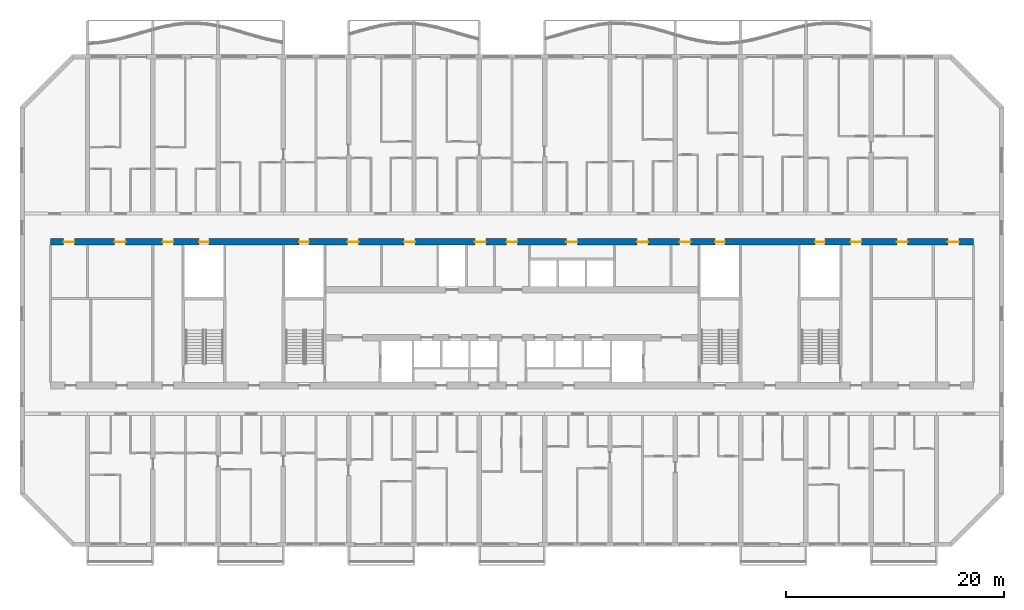
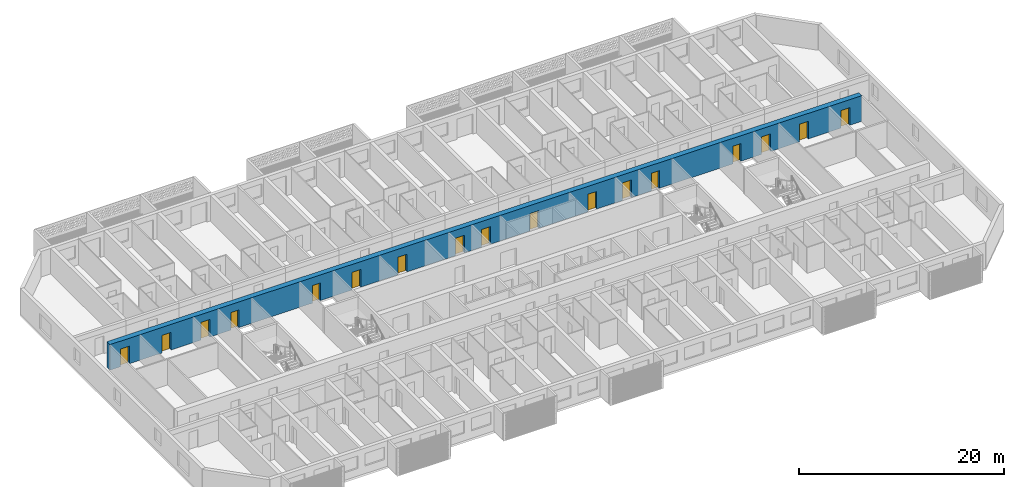
# One storey, part 8 of 39: 17 doors, 1 wall, 17 openings.
"""IFC4 building model written with IfcOpenShell, lengths in metres."""

from ifc_helpers import new_model, si_unit, direction, frame, frame_2d, origin, place, context, subcontext, project, spatial, rectangle, extrude, material, layer, layer_set, type_object, element, fill, save


model = new_model("IFC4")

# Units and contexts
model_context = context("Model", 3, precision=1e-05, world=origin(), true_north=direction((0.0, 1.0)))
body_context = subcontext(model_context, "Body", "Model", "MODEL_VIEW")
ifc_project = project(units=[si_unit("LENGTHUNIT", "METRE"), si_unit("AREAUNIT", "SQUARE_METRE"), si_unit("VOLUMEUNIT", "CUBIC_METRE"), si_unit("PLANEANGLEUNIT", "RADIAN"), si_unit("MASSUNIT", "GRAM", prefix="KILO")], contexts=[model_context])

# Site, building, storey
site_placement = place(None, origin())
site = spatial("IfcSite", under=ifc_project, at=site_placement, CompositionType="ELEMENT")
building_placement = place(site_placement, origin())
building = spatial("IfcBuilding", under=site, at=building_placement, Name="Poui Terraces", CompositionType="ELEMENT")
storey_placement = place(building_placement, frame((0.0, 0.0, 59.699951171875)))
storey = spatial("IfcBuildingStorey", under=building, at=storey_placement, Name="L16", CompositionType="ELEMENT", Elevation=59.699951171875)

# Wall, openings, doors
ifc_material_1 = material(Name="Concrete 80 MPa", Category="concrete")
ifc_layer = layer(ifc_material_1, 0.60009765625)
ifc_layer_set = layer_set([ifc_layer], Name="Concrete 80 MPa")
wall_type = type_object("IfcWallType", Name="SPINE WALL 600 80 MPA", PredefinedType="SOLIDWALL", material=ifc_layer_set)
wall_placement = place(storey_placement, frame((8.60009765625, 27.800048828125, 0.0), z_axis=(0.0, 0.0, 1.0), x_axis=(1.0, 0.0, 0.0)))
wall = element("IfcWall", 1, at=wall_placement, inside=storey, type_object=wall_type, Name="SPINE WALL", PredefinedType="SOLIDWALL", context=body_context, shape_type="SweptSolid", body=[
    extrude(rectangle(XDim=84.7998046875, YDim=0.60009765625, at=frame_2d((42.39990234375, 0.0))), origin(), (0.0, 0.0, 1.0), 3.050048828125),
])
opening_1_placement = place(wall_placement, frame((1.199951171875, 0.0, 0.0)))
opening_1 = element("IfcOpeningElement", 2, at=opening_1_placement, cuts=wall, Name="Opening FD60", PredefinedType="OPENING", context=body_context, shape_type="SweptSolid", body=[
    extrude(rectangle(XDim=1.0, YDim=2.10009765625, at=frame_2d((0.5, 1.050048828125))), frame((0.0, 0.31005859375, 0.0), z_axis=(0.0, -1.0, 0.0), x_axis=(1.0, 0.0, 0.0)), (0.0, 0.0, 1.0), 0.6201171875),
])
opening_2_placement = place(wall_placement, frame((5.89990234375, 0.0, 0.0)))
opening_2 = element("IfcOpeningElement", 3, at=opening_2_placement, cuts=wall, Name="Opening FD60", PredefinedType="OPENING", context=body_context, shape_type="SweptSolid", body=[
    extrude(rectangle(XDim=1.0, YDim=2.10009765625, at=frame_2d((0.5, 1.050048828125))), frame((0.0, 0.31005859375, 0.0), z_axis=(0.0, -1.0, 0.0), x_axis=(1.0, 0.0, 0.0)), (0.0, 0.0, 1.0), 0.6201171875),
])
opening_3_placement = place(wall_placement, frame((10.300048828125, 0.0, 0.0)))
opening_3 = element("IfcOpeningElement", 4, at=opening_3_placement, cuts=wall, Name="Opening FDL", PredefinedType="OPENING", context=body_context, shape_type="SweptSolid", body=[
    extrude(rectangle(XDim=1.0, YDim=2.10009765625, at=frame_2d((0.5, 1.050048828125))), frame((0.0, 0.31005859375, 0.0), z_axis=(0.0, -1.0, 0.0), x_axis=(1.0, 0.0, 0.0)), (0.0, 0.0, 1.0), 0.6201171875),
])
opening_4_placement = place(wall_placement, frame((13.64990234375, 0.0, 0.0)))
opening_4 = element("IfcOpeningElement", 5, at=opening_4_placement, cuts=wall, Name="Opening FDR", PredefinedType="OPENING", context=body_context, shape_type="SweptSolid", body=[
    extrude(rectangle(XDim=0.89990234375, YDim=2.10009765625, at=frame_2d((0.449951171875, 1.050048828125))), frame((0.0, 0.31005859375, 0.0), z_axis=(0.0, -1.0, 0.0), x_axis=(1.0, 0.0, 0.0)), (0.0, 0.0, 1.0), 0.6201171875),
])
opening_5_placement = place(wall_placement, frame((22.85009765625, 0.0, 0.0)))
opening_5 = element("IfcOpeningElement", 6, at=opening_5_placement, cuts=wall, Name="Opening FDR", PredefinedType="OPENING", context=body_context, shape_type="SweptSolid", body=[
    extrude(rectangle(XDim=0.89990234375, YDim=2.10009765625, at=frame_2d((0.449951171875, 1.050048828125))), frame((0.0, 0.31005859375, 0.0), z_axis=(0.0, -1.0, 0.0), x_axis=(1.0, 0.0, 0.0)), (0.0, 0.0, 1.0), 0.6201171875),
])
opening_6_placement = place(wall_placement, frame((27.300048828125, 0.0, 0.0)))
opening_6 = element("IfcOpeningElement", 7, at=opening_6_placement, cuts=wall, Name="Opening FD60", PredefinedType="OPENING", context=body_context, shape_type="SweptSolid", body=[
    extrude(rectangle(XDim=1.0, YDim=2.10009765625, at=frame_2d((0.5, 1.050048828125))), frame((0.0, 0.31005859375, 0.0), z_axis=(0.0, -1.0, 0.0), x_axis=(1.0, 0.0, 0.0)), (0.0, 0.0, 1.0), 0.6201171875),
])
opening_7_placement = place(wall_placement, frame((32.5, 0.0, 0.0)))
opening_7 = element("IfcOpeningElement", 8, at=opening_7_placement, cuts=wall, Name="Opening FD60", PredefinedType="OPENING", context=body_context, shape_type="SweptSolid", body=[
    extrude(rectangle(XDim=1.0, YDim=2.10009765625, at=frame_2d((0.5, 1.050048828125))), frame((0.0, 0.31005859375, 0.0), z_axis=(0.0, -1.0, 0.0), x_axis=(1.0, 0.0, 0.0)), (0.0, 0.0, 1.0), 0.6201171875),
])
opening_8_placement = place(wall_placement, frame((39.0, 0.0, 0.0)))
opening_8 = element("IfcOpeningElement", 9, at=opening_8_placement, cuts=wall, Name="Opening FD60", PredefinedType="OPENING", context=body_context, shape_type="SweptSolid", body=[
    extrude(rectangle(XDim=1.0, YDim=2.10009765625, at=frame_2d((0.5, 1.050048828125))), frame((0.0, 0.31005859375, 0.0), z_axis=(0.0, -1.0, 0.0), x_axis=(1.0, 0.0, 0.0)), (0.0, 0.0, 1.0), 0.6201171875),
])
opening_9_placement = place(wall_placement, frame((41.89990234375, 0.0, 0.0)))
opening_9 = element("IfcOpeningElement", 10, at=opening_9_placement, cuts=wall, Name="Opening FDL", PredefinedType="OPENING", context=body_context, shape_type="SweptSolid", body=[
    extrude(rectangle(XDim=1.0, YDim=2.10009765625, at=frame_2d((0.5, 1.050048828125))), frame((0.0, 0.31005859375, 0.0), z_axis=(0.0, -1.0, 0.0), x_axis=(1.0, 0.0, 0.0)), (0.0, 0.0, 1.0), 0.6201171875),
])
opening_10_placement = place(wall_placement, frame((47.39990234375, 0.0, 0.0)))
opening_10 = element("IfcOpeningElement", 11, at=opening_10_placement, cuts=wall, Name="Opening FD60", PredefinedType="OPENING", context=body_context, shape_type="SweptSolid", body=[
    extrude(rectangle(XDim=1.0, YDim=2.10009765625, at=frame_2d((0.5, 1.050048828125))), frame((0.0, 0.31005859375, 0.0), z_axis=(0.0, -1.0, 0.0), x_axis=(1.0, 0.0, 0.0)), (0.0, 0.0, 1.0), 0.6201171875),
])
opening_11_placement = place(wall_placement, frame((53.89990234375, 0.0, 0.0)))
opening_11 = element("IfcOpeningElement", 12, at=opening_11_placement, cuts=wall, Name="Opening FD60", PredefinedType="OPENING", context=body_context, shape_type="SweptSolid", body=[
    extrude(rectangle(XDim=1.0, YDim=2.10009765625, at=frame_2d((0.5, 1.050048828125))), frame((0.0, 0.31005859375, 0.0), z_axis=(0.0, -1.0, 0.0), x_axis=(1.0, 0.0, 0.0)), (0.0, 0.0, 1.0), 0.6201171875),
])
opening_12_placement = place(wall_placement, frame((57.800048828125, 0.0, 0.0)))
opening_12 = element("IfcOpeningElement", 13, at=opening_12_placement, cuts=wall, Name="Opening FD60", PredefinedType="OPENING", context=body_context, shape_type="SweptSolid", body=[
    extrude(rectangle(XDim=1.0, YDim=2.10009765625, at=frame_2d((0.5, 1.050048828125))), frame((0.0, 0.31005859375, 0.0), z_axis=(0.0, -1.0, 0.0), x_axis=(1.0, 0.0, 0.0)), (0.0, 0.0, 1.0), 0.6201171875),
])
opening_13_placement = place(wall_placement, frame((61.050048828125, 0.0, 0.0)))
opening_13 = element("IfcOpeningElement", 14, at=opening_13_placement, cuts=wall, Name="Opening FDR", PredefinedType="OPENING", context=body_context, shape_type="SweptSolid", body=[
    extrude(rectangle(XDim=0.89990234375, YDim=2.10009765625, at=frame_2d((0.449951171875, 1.050048828125))), frame((0.0, 0.31005859375, 0.0), z_axis=(0.0, -1.0, 0.0), x_axis=(1.0, 0.0, 0.0)), (0.0, 0.0, 1.0), 0.6201171875),
])
opening_14_placement = place(wall_placement, frame((70.25, 0.0, 0.0)))
opening_14 = element("IfcOpeningElement", 15, at=opening_14_placement, cuts=wall, Name="Opening FDR", PredefinedType="OPENING", context=body_context, shape_type="SweptSolid", body=[
    extrude(rectangle(XDim=0.89990234375, YDim=2.10009765625, at=frame_2d((0.449951171875, 1.050048828125))), frame((0.0, 0.31005859375, 0.0), z_axis=(0.0, -1.0, 0.0), x_axis=(1.0, 0.0, 0.0)), (0.0, 0.0, 1.0), 0.6201171875),
])
opening_15_placement = place(wall_placement, frame((73.5, 0.0, 0.0)))
opening_15 = element("IfcOpeningElement", 16, at=opening_15_placement, cuts=wall, Name="Opening FDL", PredefinedType="OPENING", context=body_context, shape_type="SweptSolid", body=[
    extrude(rectangle(XDim=1.0, YDim=2.10009765625, at=frame_2d((0.5, 1.050048828125))), frame((0.0, 0.31005859375, 0.0), z_axis=(0.0, -1.0, 0.0), x_axis=(1.0, 0.0, 0.0)), (0.0, 0.0, 1.0), 0.6201171875),
])
opening_16_placement = place(wall_placement, frame((77.75, 0.0, 0.0)))
opening_16 = element("IfcOpeningElement", 17, at=opening_16_placement, cuts=wall, Name="Opening FD60", PredefinedType="OPENING", context=body_context, shape_type="SweptSolid", body=[
    extrude(rectangle(XDim=1.0, YDim=2.10009765625, at=frame_2d((0.5, 1.050048828125))), frame((0.0, 0.31005859375, 0.0), z_axis=(0.0, -1.0, 0.0), x_axis=(1.0, 0.0, 0.0)), (0.0, 0.0, 1.0), 0.6201171875),
])
opening_17_placement = place(wall_placement, frame((82.449951171875, 0.0, 0.0)))
opening_17 = element("IfcOpeningElement", 18, at=opening_17_placement, cuts=wall, Name="Opening FD60", PredefinedType="OPENING", context=body_context, shape_type="SweptSolid", body=[
    extrude(rectangle(XDim=1.0, YDim=2.10009765625, at=frame_2d((0.5, 1.050048828125))), frame((0.0, 0.31005859375, 0.0), z_axis=(0.0, -1.0, 0.0), x_axis=(1.0, 0.0, 0.0)), (0.0, 0.0, 1.0), 0.6201171875),
])
ifc_material_2 = material(Name="Steel fire door", Category="steel")
door_type_1 = type_object("IfcDoorType", Name="LOBBY FIRE DOOR 1000 X 2100", OperationType="NOTDEFINED", PredefinedType="DOOR", material=ifc_material_2)
door_1_placement = place(opening_3_placement, origin())
door_1 = element("IfcDoor", 19, at=door_1_placement, inside=storey, type_object=door_type_1, Name="LOBBY FIRE DOOR 003", OperationType="SINGLE_SWING_LEFT", OverallHeight=2.10009765625, OverallWidth=1.0, PredefinedType="DOOR", context=body_context, shape_type="SweptSolid", body=[
    extrude(rectangle(XDim=1.0, YDim=2.10009765625, at=frame_2d((0.5, 1.050048828125))), frame((0.0, 0.02490234375, 0.0), z_axis=(0.0, -1.0, 0.0), x_axis=(1.0, 0.0, 0.0)), (0.0, 0.0, 1.0), 0.050048828125),
])
fill(opening_3, door_1)
door_2_placement = place(opening_9_placement, origin())
door_2 = element("IfcDoor", 20, at=door_2_placement, inside=storey, type_object=door_type_1, Name="LOBBY FIRE DOOR 009", OperationType="SINGLE_SWING_RIGHT", OverallHeight=2.10009765625, OverallWidth=1.0, PredefinedType="DOOR", context=body_context, shape_type="SweptSolid", body=[
    extrude(rectangle(XDim=1.0, YDim=2.10009765625, at=frame_2d((0.5, 1.050048828125))), frame((0.0, 0.02490234375, 0.0), z_axis=(0.0, -1.0, 0.0), x_axis=(1.0, 0.0, 0.0)), (0.0, 0.0, 1.0), 0.050048828125),
])
fill(opening_9, door_2)
door_3_placement = place(opening_15_placement, origin())
door_3 = element("IfcDoor", 21, at=door_3_placement, inside=storey, type_object=door_type_1, Name="LOBBY FIRE DOOR 015", OperationType="SINGLE_SWING_RIGHT", OverallHeight=2.10009765625, OverallWidth=1.0, PredefinedType="DOOR", context=body_context, shape_type="SweptSolid", body=[
    extrude(rectangle(XDim=1.0, YDim=2.10009765625, at=frame_2d((0.5, 1.050048828125))), frame((0.0, 0.02490234375, 0.0), z_axis=(0.0, -1.0, 0.0), x_axis=(1.0, 0.0, 0.0)), (0.0, 0.0, 1.0), 0.050048828125),
])
fill(opening_15, door_3)
door_type_2 = type_object("IfcDoorType", Name="RISER CUPBOARD DOOR 900 X 2100", OperationType="NOTDEFINED", PredefinedType="DOOR", material=ifc_material_2)
door_4_placement = place(opening_4_placement, origin())
door_4 = element("IfcDoor", 22, at=door_4_placement, inside=storey, type_object=door_type_2, Name="RISER CUPBOARD DOOR 004", OperationType="SINGLE_SWING_LEFT", OverallHeight=2.10009765625, OverallWidth=0.89990234375, PredefinedType="DOOR", context=body_context, shape_type="SweptSolid", body=[
    extrude(rectangle(XDim=0.89990234375, YDim=2.10009765625, at=frame_2d((0.449951171875, 1.050048828125))), frame((0.0, 0.02490234375, 0.0), z_axis=(0.0, -1.0, 0.0), x_axis=(1.0, 0.0, 0.0)), (0.0, 0.0, 1.0), 0.050048828125),
])
fill(opening_4, door_4)
door_5_placement = place(opening_5_placement, origin())
door_5 = element("IfcDoor", 23, at=door_5_placement, inside=storey, type_object=door_type_2, Name="RISER CUPBOARD DOOR 005", OperationType="SINGLE_SWING_LEFT", OverallHeight=2.10009765625, OverallWidth=0.89990234375, PredefinedType="DOOR", context=body_context, shape_type="SweptSolid", body=[
    extrude(rectangle(XDim=0.89990234375, YDim=2.10009765625, at=frame_2d((0.449951171875, 1.050048828125))), frame((0.0, 0.02490234375, 0.0), z_axis=(0.0, -1.0, 0.0), x_axis=(1.0, 0.0, 0.0)), (0.0, 0.0, 1.0), 0.050048828125),
])
fill(opening_5, door_5)
door_6_placement = place(opening_13_placement, origin())
door_6 = element("IfcDoor", 24, at=door_6_placement, inside=storey, type_object=door_type_2, Name="RISER CUPBOARD DOOR 013", OperationType="SINGLE_SWING_RIGHT", OverallHeight=2.10009765625, OverallWidth=0.89990234375, PredefinedType="DOOR", context=body_context, shape_type="SweptSolid", body=[
    extrude(rectangle(XDim=0.89990234375, YDim=2.10009765625, at=frame_2d((0.449951171875, 1.050048828125))), frame((0.0, 0.02490234375, 0.0), z_axis=(0.0, -1.0, 0.0), x_axis=(1.0, 0.0, 0.0)), (0.0, 0.0, 1.0), 0.050048828125),
])
fill(opening_13, door_6)
door_7_placement = place(opening_14_placement, origin())
door_7 = element("IfcDoor", 25, at=door_7_placement, inside=storey, type_object=door_type_2, Name="RISER CUPBOARD DOOR 014", OperationType="SINGLE_SWING_RIGHT", OverallHeight=2.10009765625, OverallWidth=0.89990234375, PredefinedType="DOOR", context=body_context, shape_type="SweptSolid", body=[
    extrude(rectangle(XDim=0.89990234375, YDim=2.10009765625, at=frame_2d((0.449951171875, 1.050048828125))), frame((0.0, 0.02490234375, 0.0), z_axis=(0.0, -1.0, 0.0), x_axis=(1.0, 0.0, 0.0)), (0.0, 0.0, 1.0), 0.050048828125),
])
fill(opening_14, door_7)
door_type_3 = type_object("IfcDoorType", Name="SERVICE ROOM FIRE DOOR 1000 X 2100", OperationType="NOTDEFINED", PredefinedType="DOOR", material=ifc_material_2)
door_8_placement = place(opening_1_placement, origin())
door_8 = element("IfcDoor", 26, at=door_8_placement, inside=storey, type_object=door_type_3, Name="SERVICE ROOM FIRE DOOR 001", OperationType="SINGLE_SWING_RIGHT", OverallHeight=2.10009765625, OverallWidth=1.0, PredefinedType="DOOR", context=body_context, shape_type="SweptSolid", body=[
    extrude(rectangle(XDim=1.0, YDim=2.10009765625, at=frame_2d((0.5, 1.050048828125))), frame((0.0, 0.02490234375, 0.0), z_axis=(0.0, -1.0, 0.0), x_axis=(1.0, 0.0, 0.0)), (0.0, 0.0, 1.0), 0.050048828125),
])
fill(opening_1, door_8)
door_9_placement = place(opening_2_placement, origin())
door_9 = element("IfcDoor", 27, at=door_9_placement, inside=storey, type_object=door_type_3, Name="SERVICE ROOM FIRE DOOR 002", OperationType="SINGLE_SWING_LEFT", OverallHeight=2.10009765625, OverallWidth=1.0, PredefinedType="DOOR", context=body_context, shape_type="SweptSolid", body=[
    extrude(rectangle(XDim=1.0, YDim=2.10009765625, at=frame_2d((0.5, 1.050048828125))), frame((0.0, 0.02490234375, 0.0), z_axis=(0.0, -1.0, 0.0), x_axis=(1.0, 0.0, 0.0)), (0.0, 0.0, 1.0), 0.050048828125),
])
fill(opening_2, door_9)
door_10_placement = place(opening_6_placement, origin())
door_10 = element("IfcDoor", 28, at=door_10_placement, inside=storey, type_object=door_type_3, Name="SERVICE ROOM FIRE DOOR 006", OperationType="SINGLE_SWING_RIGHT", OverallHeight=2.10009765625, OverallWidth=1.0, PredefinedType="DOOR", context=body_context, shape_type="SweptSolid", body=[
    extrude(rectangle(XDim=1.0, YDim=2.10009765625, at=frame_2d((0.5, 1.050048828125))), frame((0.0, 0.02490234375, 0.0), z_axis=(0.0, -1.0, 0.0), x_axis=(1.0, 0.0, 0.0)), (0.0, 0.0, 1.0), 0.050048828125),
])
fill(opening_6, door_10)
door_11_placement = place(opening_7_placement, origin())
door_11 = element("IfcDoor", 29, at=door_11_placement, inside=storey, type_object=door_type_3, Name="SERVICE ROOM FIRE DOOR 007", OperationType="SINGLE_SWING_LEFT", OverallHeight=2.10009765625, OverallWidth=1.0, PredefinedType="DOOR", context=body_context, shape_type="SweptSolid", body=[
    extrude(rectangle(XDim=1.0, YDim=2.10009765625, at=frame_2d((0.5, 1.050048828125))), frame((0.0, 0.02490234375, 0.0), z_axis=(0.0, -1.0, 0.0), x_axis=(1.0, 0.0, 0.0)), (0.0, 0.0, 1.0), 0.050048828125),
])
fill(opening_7, door_11)
door_12_placement = place(opening_8_placement, origin())
door_12 = element("IfcDoor", 30, at=door_12_placement, inside=storey, type_object=door_type_3, Name="SERVICE ROOM FIRE DOOR 008", OperationType="SINGLE_SWING_RIGHT", OverallHeight=2.10009765625, OverallWidth=1.0, PredefinedType="DOOR", context=body_context, shape_type="SweptSolid", body=[
    extrude(rectangle(XDim=1.0, YDim=2.10009765625, at=frame_2d((0.5, 1.050048828125))), frame((0.0, 0.02490234375, 0.0), z_axis=(0.0, -1.0, 0.0), x_axis=(1.0, 0.0, 0.0)), (0.0, 0.0, 1.0), 0.050048828125),
])
fill(opening_8, door_12)
door_13_placement = place(opening_10_placement, origin())
door_13 = element("IfcDoor", 31, at=door_13_placement, inside=storey, type_object=door_type_3, Name="SERVICE ROOM FIRE DOOR 010", OperationType="SINGLE_SWING_LEFT", OverallHeight=2.10009765625, OverallWidth=1.0, PredefinedType="DOOR", context=body_context, shape_type="SweptSolid", body=[
    extrude(rectangle(XDim=1.0, YDim=2.10009765625, at=frame_2d((0.5, 1.050048828125))), frame((0.0, 0.02490234375, 0.0), z_axis=(0.0, -1.0, 0.0), x_axis=(1.0, 0.0, 0.0)), (0.0, 0.0, 1.0), 0.050048828125),
])
fill(opening_10, door_13)
door_14_placement = place(opening_11_placement, origin())
door_14 = element("IfcDoor", 32, at=door_14_placement, inside=storey, type_object=door_type_3, Name="SERVICE ROOM FIRE DOOR 011", OperationType="SINGLE_SWING_RIGHT", OverallHeight=2.10009765625, OverallWidth=1.0, PredefinedType="DOOR", context=body_context, shape_type="SweptSolid", body=[
    extrude(rectangle(XDim=1.0, YDim=2.10009765625, at=frame_2d((0.5, 1.050048828125))), frame((0.0, 0.02490234375, 0.0), z_axis=(0.0, -1.0, 0.0), x_axis=(1.0, 0.0, 0.0)), (0.0, 0.0, 1.0), 0.050048828125),
])
fill(opening_11, door_14)
door_15_placement = place(opening_12_placement, origin())
door_15 = element("IfcDoor", 33, at=door_15_placement, inside=storey, type_object=door_type_3, Name="SERVICE ROOM FIRE DOOR 012", OperationType="SINGLE_SWING_LEFT", OverallHeight=2.10009765625, OverallWidth=1.0, PredefinedType="DOOR", context=body_context, shape_type="SweptSolid", body=[
    extrude(rectangle(XDim=1.0, YDim=2.10009765625, at=frame_2d((0.5, 1.050048828125))), frame((0.0, 0.02490234375, 0.0), z_axis=(0.0, -1.0, 0.0), x_axis=(1.0, 0.0, 0.0)), (0.0, 0.0, 1.0), 0.050048828125),
])
fill(opening_12, door_15)
door_16_placement = place(opening_16_placement, origin())
door_16 = element("IfcDoor", 34, at=door_16_placement, inside=storey, type_object=door_type_3, Name="SERVICE ROOM FIRE DOOR 016", OperationType="SINGLE_SWING_RIGHT", OverallHeight=2.10009765625, OverallWidth=1.0, PredefinedType="DOOR", context=body_context, shape_type="SweptSolid", body=[
    extrude(rectangle(XDim=1.0, YDim=2.10009765625, at=frame_2d((0.5, 1.050048828125))), frame((0.0, 0.02490234375, 0.0), z_axis=(0.0, -1.0, 0.0), x_axis=(1.0, 0.0, 0.0)), (0.0, 0.0, 1.0), 0.050048828125),
])
fill(opening_16, door_16)
door_17_placement = place(opening_17_placement, origin())
door_17 = element("IfcDoor", 35, at=door_17_placement, inside=storey, type_object=door_type_3, Name="SERVICE ROOM FIRE DOOR 017", OperationType="SINGLE_SWING_LEFT", OverallHeight=2.10009765625, OverallWidth=1.0, PredefinedType="DOOR", context=body_context, shape_type="SweptSolid", body=[
    extrude(rectangle(XDim=1.0, YDim=2.10009765625, at=frame_2d((0.5, 1.050048828125))), frame((0.0, 0.02490234375, 0.0), z_axis=(0.0, -1.0, 0.0), x_axis=(1.0, 0.0, 0.0)), (0.0, 0.0, 1.0), 0.050048828125),
])
fill(opening_17, door_17)

save(model, "model.ifc")
